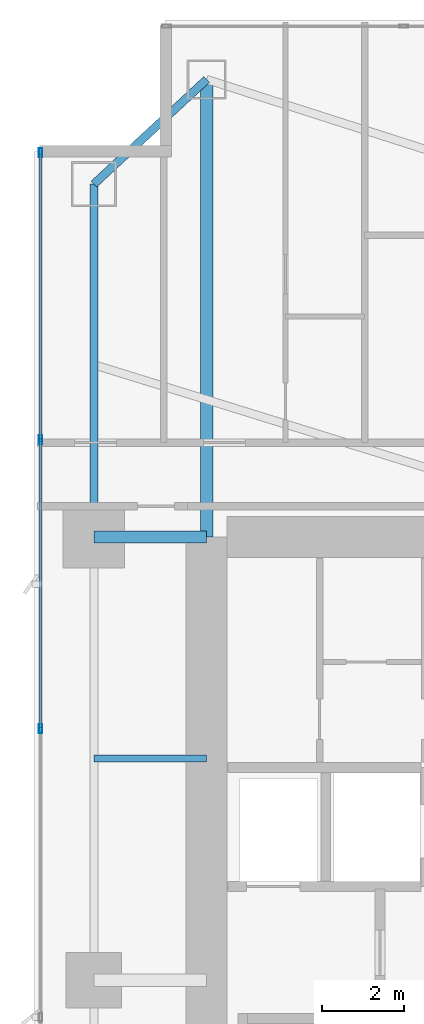
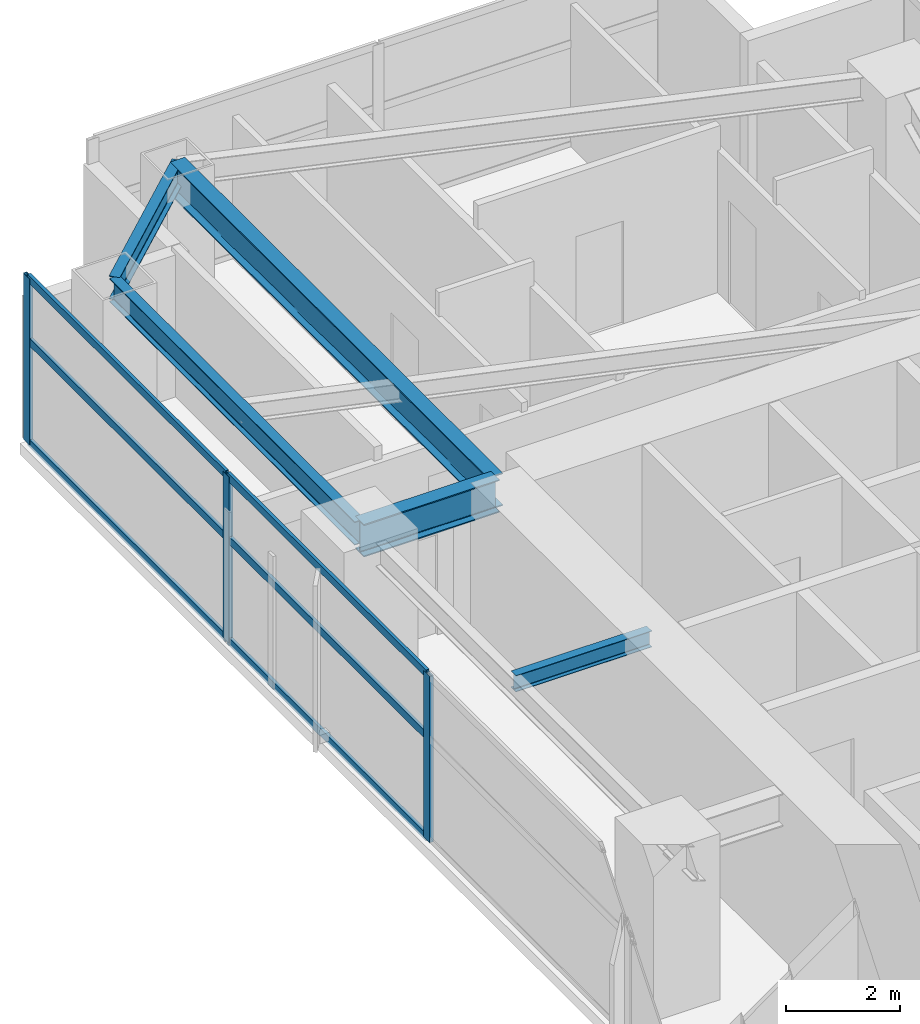
# One storey, part 16 of 30: 9 members, 5 beams, 1 element without a shape of its own.
"""IFC4 building model written with IfcOpenShell, lengths in metres."""

from ifc_helpers import new_model, si_unit, direction, frame, origin, origin_2d, place, context, subcontext, project, spatial, hollow_rectangle, i_section, extrude, material, layer, layer_set, material_profile, profile_set, type_object, element, aggregate, save


model = new_model("IFC4")

# Units and contexts
model_context = context("Model", 3, precision=1e-05, world=origin(), true_north=direction((0.0, 1.0)))
body_context = subcontext(model_context, "Body", "Model", "MODEL_VIEW")
ifc_project = project(units=[si_unit("LENGTHUNIT", "METRE"), si_unit("AREAUNIT", "SQUARE_METRE"), si_unit("VOLUMEUNIT", "CUBIC_METRE"), si_unit("PLANEANGLEUNIT", "RADIAN"), si_unit("MASSUNIT", "GRAM", prefix="KILO")], contexts=[model_context])

# Site, building, storey
site_placement = place(None, origin())
site = spatial("IfcSite", under=ifc_project, at=site_placement, CompositionType="ELEMENT")
building_placement = place(site_placement, origin())
building = spatial("IfcBuilding", under=site, at=building_placement, Name="Calvorn Quay Hotel", CompositionType="ELEMENT")
storey_placement = place(building_placement, frame((0.0, 0.0, 73.60009765625)))
storey = spatial("IfcBuildingStorey", under=building, at=storey_placement, Name="L17", CompositionType="ELEMENT", Elevation=73.60009765625)

# Beams
ifc_material_1 = material(Name="Steel Q390GJC", Category="steel")
ifc_material_profile_1 = material_profile(ifc_material_1, i_section(OverallWidth=0.300048828125, OverallDepth=0.699951171875, WebThickness=0.012939453125, FlangeThickness=0.02392578125, FilletRadius=0.02392578125, at=origin_2d()), Name="HN700x300x13x24")
ifc_profile_set_1 = profile_set([ifc_material_profile_1], Name="Steel Q390GJC")
beam_type_1 = type_object("IfcBeamType", Name="BM-GIRD-MAIN", PredefinedType="BEAM", material=ifc_profile_set_1)
beam_1_placement = place(storey_placement, frame((1.449951171875, 38.39990234375, 3.18994140625), z_axis=(1.0, 0.0, 0.0), x_axis=(0.0, 1.0, 0.0)))
element("IfcBeam", 1, at=beam_1_placement, inside=storey, type_object=beam_type_1, Name="Beam BG-L17-W3", PredefinedType="BEAM", context=body_context, shape_type="SweptSolid", body=[
    extrude(i_section(OverallWidth=0.300048828125, OverallDepth=0.699951171875, WebThickness=0.012939453125, FlangeThickness=0.02392578125, FilletRadius=0.02392578125, at=origin_2d()), origin(), (0.0, 0.0, 1.0), 2.75),
])
beam_2_placement = place(storey_placement, frame((4.199951171875, 49.550048828125, 3.18994140625), z_axis=(0.0, -1.0, 0.0), x_axis=(1.0, 0.0, 0.0)))
element("IfcBeam", 2, at=beam_2_placement, inside=storey, type_object=beam_type_1, Name="Beam BG-L17-W5", PredefinedType="BEAM", context=body_context, shape_type="SweptSolid", body=[
    extrude(i_section(OverallWidth=0.300048828125, OverallDepth=0.699951171875, WebThickness=0.012939453125, FlangeThickness=0.02392578125, FilletRadius=0.02392578125, at=origin_2d()), origin(), (0.0, 0.0, 1.0), 11.150146484375),
])
ifc_material_2 = material(Name="Steel Q355B", Category="steel")
ifc_material_profile_2 = material_profile(ifc_material_2, i_section(OverallWidth=0.175048828125, OverallDepth=0.35009765625, WebThickness=0.007080078125, FlangeThickness=0.010986328125, FilletRadius=0.013916015625, at=origin_2d()), Name="HN350x175x7x11")
ifc_profile_set_2 = profile_set([ifc_material_profile_2], Name="Steel Q355B")
beam_type_2 = type_object("IfcBeamType", Name="BM-JOIST-SEC", PredefinedType="JOIST", material=ifc_profile_set_2)
beam_3_placement = place(storey_placement, frame((1.449951171875, 33.0, 3.364990234375), z_axis=(1.0, 0.0, 0.0), x_axis=(0.0, 1.0, 0.0)))
element("IfcBeam", 3, at=beam_3_placement, inside=storey, type_object=beam_type_2, Name="Beam BJ-L17-W4", PredefinedType="JOIST", context=body_context, shape_type="SweptSolid", body=[
    extrude(i_section(OverallWidth=0.175048828125, OverallDepth=0.35009765625, WebThickness=0.007080078125, FlangeThickness=0.010986328125, FilletRadius=0.013916015625, at=origin_2d()), origin(), (0.0, 0.0, 1.0), 2.75),
])
ifc_material_3 = material(Name="Steel Q355B", Category="steel")
ifc_material_profile_3 = material_profile(ifc_material_3, i_section(OverallWidth=0.199951171875, OverallDepth=0.5, WebThickness=0.010009765625, FlangeThickness=0.01611328125, FilletRadius=0.01611328125, at=origin_2d()), Name="HN500x200x10x16")
ifc_profile_set_3 = profile_set([ifc_material_profile_3], Name="Steel Q355B")
beam_type_3 = type_object("IfcBeamType", Name="BM-SPANDREL-Z1", PredefinedType="SPANDREL", material=ifc_profile_set_3)
beam_4_placement = place(storey_placement, frame((1.449951171875, 38.39990234375, 3.289794921875), z_axis=(0.0, 1.0, 0.0), x_axis=(-1.0, 0.0, 0.0)))
element("IfcBeam", 4, at=beam_4_placement, inside=storey, type_object=beam_type_3, Name="Beam BSP-L17-W4", PredefinedType="SPANDREL", context=body_context, shape_type="SweptSolid", body=[
    extrude(i_section(OverallWidth=0.199951171875, OverallDepth=0.5, WebThickness=0.010009765625, FlangeThickness=0.01611328125, FilletRadius=0.01611328125, at=origin_2d()), origin(), (0.0, 0.0, 1.0), 8.60009765625),
])
beam_5_placement = place(storey_placement, frame((1.449951171875, 47.0, 3.289794921875), z_axis=(0.733261665538, 0.679946563969, 0.0), x_axis=(-0.679946563969, 0.733261665538, 0.0)))
element("IfcBeam", 5, at=beam_5_placement, inside=storey, type_object=beam_type_3, Name="Beam BSP-L17-W5", PredefinedType="SPANDREL", context=body_context, shape_type="SweptSolid", body=[
    extrude(i_section(OverallWidth=0.199951171875, OverallDepth=0.5, WebThickness=0.010009765625, FlangeThickness=0.01611328125, FilletRadius=0.01611328125, at=origin_2d()), origin(), (0.0, 0.0, 1.0), 3.75048828125),
])

# Curtain wall, members
ifc_material_4 = material(Name="Pale Anodised Aluminium and Low-E Glass", Category="aluminium")
ifc_layer = layer(ifc_material_4, 0.219970703125)
ifc_layer_set = layer_set([ifc_layer], Name="CW-SYS-Z1")
curtain_wall_type = type_object("IfcCurtainWallType", Name="CW-SYS-Z1", PredefinedType="NOTDEFINED", material=ifc_layer_set)
curtain_wall_placement = place(storey_placement, origin())
curtain_wall = element("IfcCurtainWall", 6, at=curtain_wall_placement, inside=storey, type_object=curtain_wall_type, Name="Tower West Curtain Wall (L17)", PredefinedType="NOTDEFINED")
ifc_material_5 = material(Name="Pale Anodised Aluminium 6063-T6", Category="aluminium")
ifc_material_profile_4 = material_profile(ifc_material_5, hollow_rectangle(XDim=0.074951171875, YDim=0.219970703125, WallThickness=0.00439453125, at=origin_2d()), Name="ALU-M220x75x4.5")
ifc_profile_set_4 = profile_set([ifc_material_profile_4], Name="Pale Anodised Aluminium 6063-T6")
member_type_1 = type_object("IfcMemberType", Name="CW-SYS-Z1-MUL", PredefinedType="MULLION", material=ifc_profile_set_4)
member_1_placement = place(storey_placement, frame((0.14990234375, 33.7333984375, 0.0), z_axis=(0.0, 0.0, 1.0), x_axis=(-1.0, 0.0, 0.0)))
member_1 = element("IfcMember", 7, at=member_1_placement, type_object=member_type_1, Name="CW-L17-W mullion 5", PredefinedType="MULLION", context=body_context, shape_type="SweptSolid", body=[
    extrude(hollow_rectangle(XDim=0.074951171875, YDim=0.219970703125, WallThickness=0.00439453125, at=origin_2d()), origin(), (0.0, 0.0, 1.0), 3.559814453125),
])
member_2_placement = place(storey_placement, frame((0.14990234375, 40.7666015625, 0.0), z_axis=(0.0, 0.0, 1.0), x_axis=(-1.0, 0.0, 0.0)))
member_2 = element("IfcMember", 8, at=member_2_placement, type_object=member_type_1, Name="CW-L17-W mullion 6", PredefinedType="MULLION", context=body_context, shape_type="SweptSolid", body=[
    extrude(hollow_rectangle(XDim=0.074951171875, YDim=0.219970703125, WallThickness=0.00439453125, at=origin_2d()), origin(), (0.0, 0.0, 1.0), 3.559814453125),
])
member_3_placement = place(storey_placement, frame((0.14990234375, 47.77001953125, 0.0), z_axis=(0.0, 0.0, 1.0), x_axis=(-1.0, 0.0, 0.0)))
member_3 = element("IfcMember", 9, at=member_3_placement, type_object=member_type_1, Name="CW-L17-W mullion 7", PredefinedType="MULLION", context=body_context, shape_type="SweptSolid", body=[
    extrude(hollow_rectangle(XDim=0.074951171875, YDim=0.219970703125, WallThickness=0.00439453125, at=origin_2d()), origin(), (0.0, 0.0, 1.0), 3.559814453125),
])
ifc_material_6 = material(Name="Pale Anodised Aluminium 6063-T6", Category="aluminium")
ifc_material_profile_5 = material_profile(ifc_material_6, hollow_rectangle(XDim=0.06494140625, YDim=0.1650390625, WallThickness=0.00341796875, at=origin_2d()), Name="ALU-T165x65x3.5")
ifc_profile_set_5 = profile_set([ifc_material_profile_5], Name="Pale Anodised Aluminium 6063-T6")
member_type_2 = type_object("IfcMemberType", Name="CW-SYS-Z1-TRN", PredefinedType="USERDEFINED", material=ifc_profile_set_5)
member_4_placement = place(storey_placement, frame((0.14990234375, 33.763427734375, 0.02978515625), z_axis=(0.0, 1.0, 0.0), x_axis=(-1.0, 0.0, 0.0)))
member_4 = element("IfcMember", 10, at=member_4_placement, type_object=member_type_2, Name="CW-L17-W transom 5.1", ObjectType="TRANSOM", PredefinedType="USERDEFINED", context=body_context, shape_type="SweptSolid", body=[
    extrude(hollow_rectangle(XDim=0.06494140625, YDim=0.1650390625, WallThickness=0.00341796875, at=origin_2d()), origin(), (0.0, 0.0, 1.0), 6.97314453125),
])
member_5_placement = place(storey_placement, frame((0.14990234375, 33.763427734375, 2.199951171875), z_axis=(0.0, 1.0, 0.0), x_axis=(-1.0, 0.0, 0.0)))
member_5 = element("IfcMember", 11, at=member_5_placement, type_object=member_type_2, Name="CW-L17-W transom 5.2", ObjectType="TRANSOM", PredefinedType="USERDEFINED", context=body_context, shape_type="SweptSolid", body=[
    extrude(hollow_rectangle(XDim=0.06494140625, YDim=0.1650390625, WallThickness=0.00341796875, at=origin_2d()), origin(), (0.0, 0.0, 1.0), 6.97314453125),
])
member_6_placement = place(storey_placement, frame((0.14990234375, 33.763427734375, 3.52978515625), z_axis=(0.0, 1.0, 0.0), x_axis=(-1.0, 0.0, 0.0)))
member_6 = element("IfcMember", 12, at=member_6_placement, type_object=member_type_2, Name="CW-L17-W transom 5.3", ObjectType="TRANSOM", PredefinedType="USERDEFINED", context=body_context, shape_type="SweptSolid", body=[
    extrude(hollow_rectangle(XDim=0.06494140625, YDim=0.1650390625, WallThickness=0.00341796875, at=origin_2d()), origin(), (0.0, 0.0, 1.0), 6.97314453125),
])
member_7_placement = place(storey_placement, frame((0.14990234375, 40.796630859375, 0.02978515625), z_axis=(0.0, 1.0, 0.0), x_axis=(-1.0, 0.0, 0.0)))
member_7 = element("IfcMember", 13, at=member_7_placement, type_object=member_type_2, Name="CW-L17-W transom 6.1", ObjectType="TRANSOM", PredefinedType="USERDEFINED", context=body_context, shape_type="SweptSolid", body=[
    extrude(hollow_rectangle(XDim=0.06494140625, YDim=0.1650390625, WallThickness=0.00341796875, at=origin_2d()), origin(), (0.0, 0.0, 1.0), 6.943359375),
])
member_8_placement = place(storey_placement, frame((0.14990234375, 40.796630859375, 2.199951171875), z_axis=(0.0, 1.0, 0.0), x_axis=(-1.0, 0.0, 0.0)))
member_8 = element("IfcMember", 14, at=member_8_placement, type_object=member_type_2, Name="CW-L17-W transom 6.2", ObjectType="TRANSOM", PredefinedType="USERDEFINED", context=body_context, shape_type="SweptSolid", body=[
    extrude(hollow_rectangle(XDim=0.06494140625, YDim=0.1650390625, WallThickness=0.00341796875, at=origin_2d()), origin(), (0.0, 0.0, 1.0), 6.943359375),
])
member_9_placement = place(storey_placement, frame((0.14990234375, 40.796630859375, 3.52978515625), z_axis=(0.0, 1.0, 0.0), x_axis=(-1.0, 0.0, 0.0)))
member_9 = element("IfcMember", 15, at=member_9_placement, type_object=member_type_2, Name="CW-L17-W transom 6.3", ObjectType="TRANSOM", PredefinedType="USERDEFINED", context=body_context, shape_type="SweptSolid", body=[
    extrude(hollow_rectangle(XDim=0.06494140625, YDim=0.1650390625, WallThickness=0.00341796875, at=origin_2d()), origin(), (0.0, 0.0, 1.0), 6.943359375),
])
aggregate(curtain_wall, [member_1, member_2, member_3, member_4, member_5, member_6, member_7, member_8, member_9])

save(model, "model.ifc")
